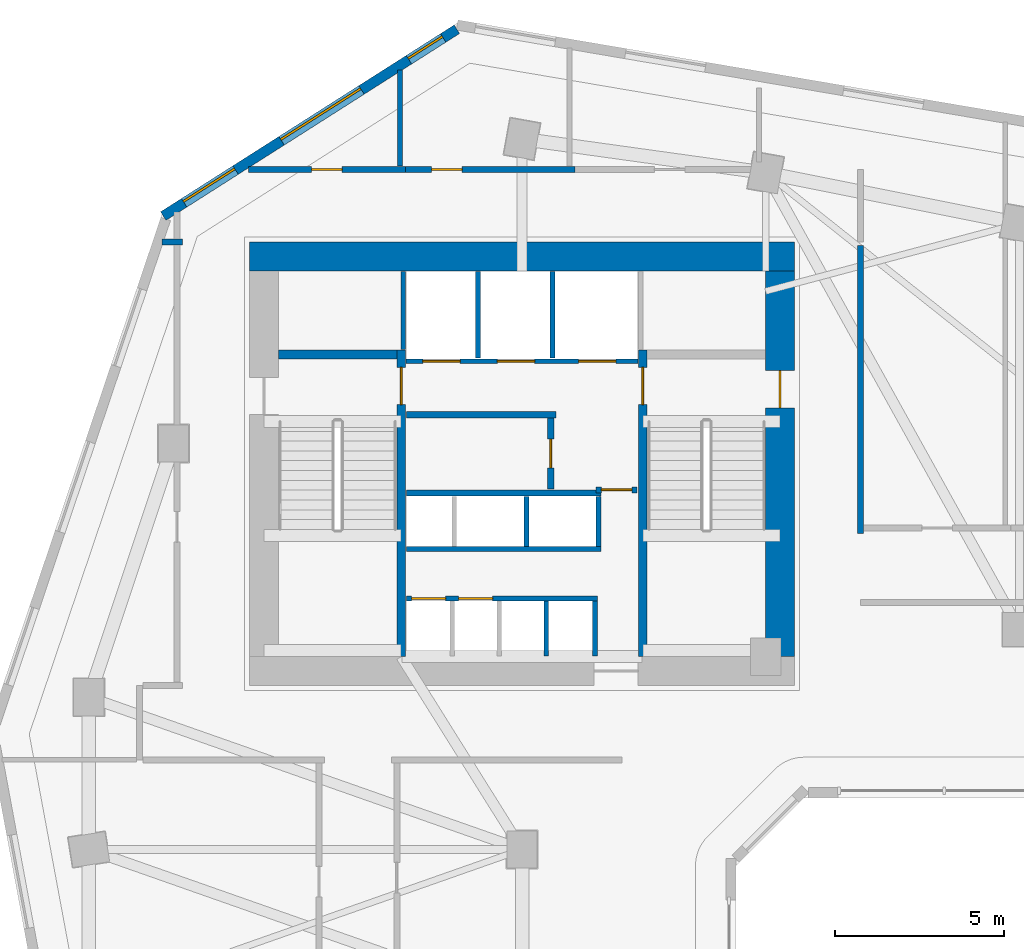
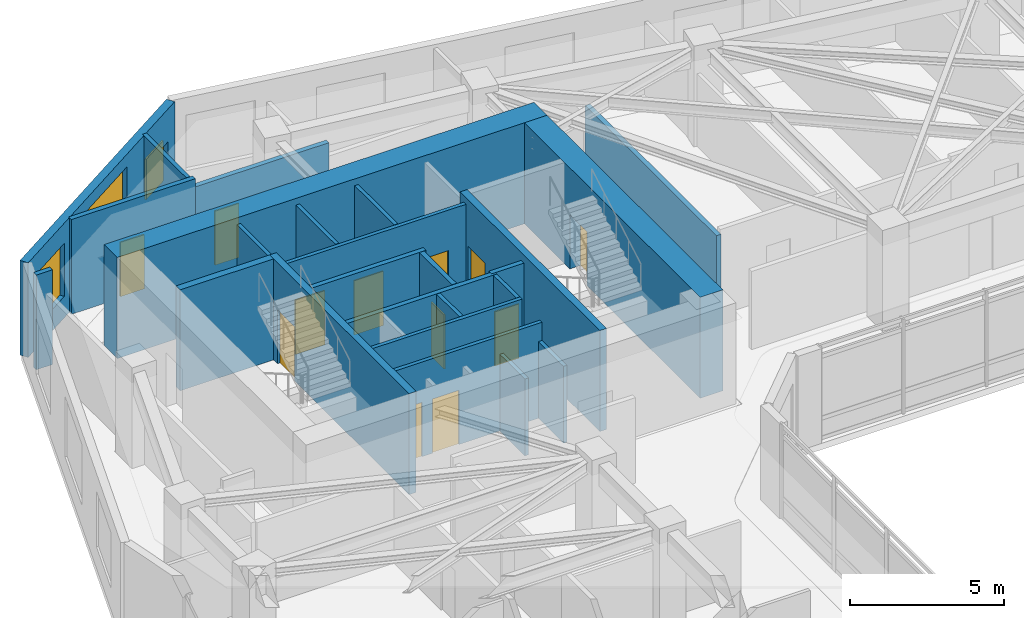
# One storey, part 6 of 11: 25 walls, 12 doors, 3 windows, 15 openings.
"""IFC4 building model written with IfcOpenShell, lengths in metres."""

from ifc_helpers import new_model, si_unit, direction, frame, frame_2d, origin, place, context, subcontext, project, spatial, rectangle, extrude, source, transform, mapped, material, layer, layer_set, type_object, element, fill, save


model = new_model("IFC4")

# Units and contexts
model_context = context("Model", 3, precision=1e-05, world=origin(), true_north=direction((0.0, 1.0)))
body_context = subcontext(model_context, "Body", "Model", "MODEL_VIEW")
ifc_project = project(units=[si_unit("LENGTHUNIT", "METRE"), si_unit("AREAUNIT", "SQUARE_METRE"), si_unit("VOLUMEUNIT", "CUBIC_METRE"), si_unit("PLANEANGLEUNIT", "RADIAN"), si_unit("MASSUNIT", "GRAM", prefix="KILO")], contexts=[model_context])

# Site, building, storey
site_placement = place(None, origin())
site = spatial("IfcSite", under=ifc_project, at=site_placement, CompositionType="ELEMENT")
building_placement = place(site_placement, origin())
building = spatial("IfcBuilding", under=site, at=building_placement, Name="Calvemar Wedge Station Tower", CompositionType="ELEMENT")
storey_placement = place(building_placement, frame((0.0, 0.0, 79.0)))
storey = spatial("IfcBuildingStorey", under=building, at=storey_placement, Name="L19", CompositionType="ELEMENT", Elevation=79.0)

# Wall, opening, door
ifc_material_1 = material(Name="Concrete C50", Category="concrete")
ifc_layer_1 = layer(ifc_material_1, 0.260009765625)
ifc_layer_set_1 = layer_set([ifc_layer_1], Name="Concrete C50")
wall_type_1 = type_object("IfcWallType", Name="SW-CORE-260", PredefinedType="SHEAR", material=ifc_layer_set_1)
wall_1_placement = place(storey_placement, frame((20.22998046875, 34.199951171875, 0.0), z_axis=(0.0, 0.0, 1.0), x_axis=(0.0, 1.0, 0.0)))
wall_1 = element("IfcWall", 1, at=wall_1_placement, inside=storey, type_object=wall_type_1, Name="Storey L19 Core Shear Wall SPINE-W", PredefinedType="SHEAR", context=body_context, shape_type="SweptSolid", body=[
    extrude(rectangle(XDim=9.06005859375, YDim=0.260009765625, at=frame_2d((4.530029296875, 0.0))), origin(), (0.0, 0.0, 1.0), 4.0),
])
shared_shape_1 = source(origin(), body_context, "Body", "SweptSolid", [
    extrude(rectangle(XDim=1.10009765625, YDim=2.14990234375, at=frame_2d((0.550048828125, 1.074951171875))), frame((0.0, 0.14013671875, 0.0), z_axis=(0.0, -1.0, 0.0), x_axis=(1.0, 0.0, 0.0)), (0.0, 0.0, 1.0), 0.280029296875),
])
opening_1_placement = place(wall_1_placement, frame((7.449951171875, 0.0, 0.0)))
opening_1 = element("IfcOpeningElement", 2, at=opening_1_placement, cuts=wall_1, Name="Opening FD-90", PredefinedType="OPENING", context=body_context, shape_type="MappedRepresentation", body=[
    mapped(shared_shape_1, transform((0.0, 0.0, 0.0), scale=1.0)),
])
ifc_material_2 = material(Name="Galvanized fire-rated steel door leaf P-90", Category="steel")
door_type_1 = type_object("IfcDoorType", Name="DR-FD90-1100", OperationType="NOTDEFINED", PredefinedType="DOOR", material=ifc_material_2)
shared_shape_2 = source(origin(), body_context, "Body", "SweptSolid", [
    extrude(rectangle(XDim=1.10009765625, YDim=2.14990234375, at=frame_2d((0.550048828125, 1.074951171875))), frame((0.0, 0.02490234375, 0.0), z_axis=(0.0, -1.0, 0.0), x_axis=(1.0, 0.0, 0.0)), (0.0, 0.0, 1.0), 0.050048828125),
])
door_1_placement = place(opening_1_placement, origin())
door_1 = element("IfcDoor", 3, at=door_1_placement, inside=storey, type_object=door_type_1, Name="L19 FF Lobby to Stair ST-C1 Door", OperationType="SINGLE_SWING_RIGHT", OverallHeight=2.14990234375, OverallWidth=1.10009765625, PredefinedType="DOOR", context=body_context, shape_type="MappedRepresentation", body=[
    mapped(shared_shape_2, transform((0.0, 0.0, 0.0), scale=1.0)),
])
fill(opening_1, door_1)

wall_2_placement = place(storey_placement, frame((27.3701171875, 34.199951171875, 0.0), z_axis=(0.0, 0.0, 1.0), x_axis=(0.0, 1.0, 0.0)))
wall_2 = element("IfcWall", 4, at=wall_2_placement, inside=storey, type_object=wall_type_1, Name="Storey L19 Core Shear Wall SPINE-E", PredefinedType="SHEAR", context=body_context, shape_type="SweptSolid", body=[
    extrude(rectangle(XDim=9.06005859375, YDim=0.260009765625, at=frame_2d((4.530029296875, 0.0))), origin(), (0.0, 0.0, 1.0), 4.0),
])
opening_2_placement = place(wall_2_placement, frame((7.449951171875, 0.0, 0.0)))
opening_2 = element("IfcOpeningElement", 5, at=opening_2_placement, cuts=wall_2, Name="Opening FD-90", PredefinedType="OPENING", context=body_context, shape_type="MappedRepresentation", body=[
    mapped(shared_shape_1, transform((0.0, 0.0, 0.0), scale=1.0)),
])
door_2_placement = place(opening_2_placement, origin())
door_2 = element("IfcDoor", 6, at=door_2_placement, inside=storey, type_object=door_type_1, Name="L19 FF Lobby to Stair ST-C2 Door", OperationType="SINGLE_SWING_LEFT", OverallHeight=2.14990234375, OverallWidth=1.10009765625, PredefinedType="DOOR", context=body_context, shape_type="MappedRepresentation", body=[
    mapped(shared_shape_2, transform((0.0, 0.0, 0.0), scale=1.0)),
])
fill(opening_2, door_2)

# Walls
wall_3_placement = place(storey_placement, frame((16.60009765625, 43.1298828125, 0.0), z_axis=(0.0, 0.0, 1.0), x_axis=(1.0, 0.0, 0.0)))
element("IfcWall", 7, at=wall_3_placement, inside=storey, type_object=wall_type_1, Name="Storey L19 Core Shear Wall STC1-N", PredefinedType="SHEAR", context=body_context, shape_type="SweptSolid", body=[
    extrude(rectangle(XDim=3.5, YDim=0.260009765625, at=frame_2d((1.75, 0.0))), origin(), (0.0, 0.0, 1.0), 4.0),
])
ifc_material_3 = material(Name="Concrete C80", Category="concrete")
ifc_layer_2 = layer(ifc_material_3, 0.85009765625)
ifc_layer_set_2 = layer_set([ifc_layer_2], Name="Concrete C80")
wall_type_2 = type_object("IfcWallType", Name="SW-CORE-850", PredefinedType="SHEAR", material=ifc_layer_set_2)
wall_4_placement = place(storey_placement, frame((15.75, 46.02490234375, 0.0), z_axis=(0.0, 0.0, 1.0), x_axis=(1.0, 0.0, 0.0)))
element("IfcWall", 8, at=wall_4_placement, inside=storey, type_object=wall_type_2, Name="Storey L19 Core Shear Wall N", PredefinedType="SHEAR", context=body_context, shape_type="SweptSolid", body=[
    extrude(rectangle(XDim=16.10009765625, YDim=0.85009765625, at=frame_2d((8.050048828125, 0.0))), origin(), (0.0, 0.0, 1.0), 4.0),
])

# Wall, opening, door
wall_5_placement = place(storey_placement, frame((31.425048828125, 34.199951171875, 0.0), z_axis=(0.0, 0.0, 1.0), x_axis=(0.0, 1.0, 0.0)))
wall_5 = element("IfcWall", 9, at=wall_5_placement, inside=storey, type_object=wall_type_2, Name="Storey L19 Core Shear Wall E", PredefinedType="SHEAR", context=body_context, shape_type="SweptSolid", body=[
    extrude(rectangle(XDim=11.400146484375, YDim=0.85009765625, at=frame_2d((5.7001953125, 0.0))), origin(), (0.0, 0.0, 1.0), 4.0),
])
shared_shape_3 = source(origin(), body_context, "Body", "SweptSolid", [
    extrude(rectangle(XDim=1.10009765625, YDim=2.14990234375, at=frame_2d((0.550048828125, 1.074951171875))), frame((0.0, 0.43505859375, 0.0), z_axis=(0.0, -1.0, 0.0), x_axis=(1.0, 0.0, 0.0)), (0.0, 0.0, 1.0), 0.8701171875),
])
opening_3_placement = place(wall_5_placement, frame((7.35009765625, 0.0, 0.0)))
opening_3 = element("IfcOpeningElement", 10, at=opening_3_placement, cuts=wall_5, Name="Opening FD-90", PredefinedType="OPENING", context=body_context, shape_type="MappedRepresentation", body=[
    mapped(shared_shape_3, transform((0.0, 0.0, 0.0), scale=1.0)),
])
door_3_placement = place(opening_3_placement, origin())
door_3 = element("IfcDoor", 11, at=door_3_placement, inside=storey, type_object=door_type_1, Name="L19 East Corridor to Exit Stair ST-C2 Door", OperationType="SINGLE_SWING_LEFT", OverallHeight=2.14990234375, OverallWidth=1.10009765625, PredefinedType="DOOR", context=body_context, shape_type="MappedRepresentation", body=[
    mapped(shared_shape_2, transform((0.0, 0.0, 0.0), scale=1.0)),
])
fill(opening_3, door_3)

# Wall
ifc_material_4 = material(Name="Double-stud fire-rated corridor partition")
ifc_layer_3 = layer(ifc_material_4, 0.179931640625)
ifc_layer_set_3 = layer_set([ifc_layer_3], Name="Double-stud fire-rated corridor partition")
wall_type_3 = type_object("IfcWallType", Name="W-CORR-180", PredefinedType="PARTITIONING", material=ifc_layer_set_3)
wall_6_placement = place(storey_placement, frame((24.81005859375, 41.35009765625, 0.0), z_axis=(0.0, 0.0, 1.0), x_axis=(-1.0, 0.0, 0.0)))
element("IfcWall", 12, at=wall_6_placement, inside=storey, type_object=wall_type_3, Name="Storey L19 Interior Partition WL-L19-001", PredefinedType="PARTITIONING", context=body_context, shape_type="SweptSolid", body=[
    extrude(rectangle(XDim=4.43017578125, YDim=0.179931640625, at=frame_2d((2.215087890625, 0.0))), origin(), (0.0, 0.0, 1.0), 3.75),
])

# Wall, opening, door
wall_7_placement = place(storey_placement, frame((24.64990234375, 41.256103515625, 0.0), z_axis=(0.0, 0.0, 1.0), x_axis=(0.0, -1.0, 0.0)))
wall_7 = element("IfcWall", 13, at=wall_7_placement, inside=storey, type_object=wall_type_3, Name="Storey L19 Interior Partition WL-L19-002", PredefinedType="PARTITIONING", context=body_context, shape_type="SweptSolid", body=[
    extrude(rectangle(XDim=2.106201171875, YDim=0.179931640625, at=frame_2d((1.05322265625, 0.0))), origin(), (0.0, 0.0, 1.0), 3.75),
])
shared_shape_4 = source(origin(), body_context, "Body", "SweptSolid", [
    extrude(rectangle(XDim=0.85009765625, YDim=2.14990234375, at=frame_2d((0.425048828125, 1.074951171875))), frame((0.0, 0.10009765625, 0.0), z_axis=(0.0, -1.0, 0.0), x_axis=(1.0, 0.0, 0.0)), (0.0, 0.0, 1.0), 0.199951171875),
])
opening_4_placement = place(wall_7_placement, frame((0.6279296875, 0.0, 0.0)))
opening_4 = element("IfcOpeningElement", 14, at=opening_4_placement, cuts=wall_7, Name="Opening FD-60S", PredefinedType="OPENING", context=body_context, shape_type="MappedRepresentation", body=[
    mapped(shared_shape_4, transform((0.0, 0.0, 0.0), scale=1.0)),
])
ifc_material_5 = material(Name="Fire-rated steel and hardwood service door EI 60", Category="steel")
door_type_2 = type_object("IfcDoorType", Name="DR-CORE-FD60-850", OperationType="NOTDEFINED", PredefinedType="DOOR", material=ifc_material_5)
shared_shape_5 = source(origin(), body_context, "Body", "SweptSolid", [
    extrude(rectangle(XDim=0.85009765625, YDim=2.14990234375, at=frame_2d((0.425048828125, 1.074951171875))), frame((0.0, 0.02490234375, 0.0), z_axis=(0.0, -1.0, 0.0), x_axis=(1.0, 0.0, 0.0)), (0.0, 0.0, 1.0), 0.050048828125),
])
door_4_placement = place(opening_4_placement, origin())
door_4 = element("IfcDoor", 15, at=door_4_placement, inside=storey, type_object=door_type_2, Name="L19 Cleaner and Linen Store Door", OperationType="SINGLE_SWING_RIGHT", OverallHeight=2.14990234375, OverallWidth=0.85009765625, PredefinedType="DOOR", context=body_context, shape_type="MappedRepresentation", body=[
    mapped(shared_shape_5, transform((0.0, 0.0, 0.0), scale=1.0)),
])
fill(opening_4, door_4)

wall_8_placement = place(storey_placement, frame((27.199951171875, 39.1298828125, 0.0), z_axis=(0.0, 0.0, 1.0), x_axis=(-1.0, 0.0, 0.0)))
wall_8 = element("IfcWall", 16, at=wall_8_placement, inside=storey, type_object=wall_type_3, Name="Storey L19 Interior Partition WL-L19-003", PredefinedType="PARTITIONING", context=body_context, shape_type="SweptSolid", body=[
    extrude(rectangle(XDim=1.2099609375, YDim=0.179931640625, at=frame_2d((0.60498046875, 0.0))), origin(), (0.0, 0.0, 1.0), 3.75),
])
shared_shape_6 = source(origin(), body_context, "Body", "SweptSolid", [
    extrude(rectangle(XDim=0.89990234375, YDim=2.14990234375, at=frame_2d((0.449951171875, 1.074951171875))), frame((0.0, 0.10009765625, 0.0), z_axis=(0.0, -1.0, 0.0), x_axis=(1.0, 0.0, 0.0)), (0.0, 0.0, 1.0), 0.199951171875),
])
opening_5_placement = place(wall_8_placement, frame((0.155029296875, 0.0, 0.0)))
opening_5 = element("IfcOpeningElement", 17, at=opening_5_placement, cuts=wall_8, Name="Opening FD-60", PredefinedType="OPENING", context=body_context, shape_type="MappedRepresentation", body=[
    mapped(shared_shape_6, transform((0.0, 0.0, 0.0), scale=1.0)),
])
ifc_material_6 = material(Name="Fire-rated acoustic timber-core entrance door EI 60", Category="wood")
door_type_3 = type_object("IfcDoorType", Name="DR-FD60-900", OperationType="NOTDEFINED", PredefinedType="DOOR", material=ifc_material_6)
shared_shape_7 = source(origin(), body_context, "Body", "SweptSolid", [
    extrude(rectangle(XDim=0.89990234375, YDim=2.14990234375, at=frame_2d((0.449951171875, 1.074951171875))), frame((0.0, 0.02490234375, 0.0), z_axis=(0.0, -1.0, 0.0), x_axis=(1.0, 0.0, 0.0)), (0.0, 0.0, 1.0), 0.050048828125),
])
door_5_placement = place(opening_5_placement, origin())
door_5 = element("IfcDoor", 18, at=door_5_placement, inside=storey, type_object=door_type_3, Name="L19 Core Service Lobby Door", OperationType="SINGLE_SWING_LEFT", OverallHeight=2.14990234375, OverallWidth=0.89990234375, PredefinedType="DOOR", context=body_context, shape_type="MappedRepresentation", body=[
    mapped(shared_shape_7, transform((0.0, 0.0, 0.0), scale=1.0)),
])
fill(opening_5, door_5)

# Wall
wall_9_placement = place(storey_placement, frame((13.760009765625, 46.449951171875, 0.0), z_axis=(0.0, 0.0, 1.0), x_axis=(-1.0, 0.0, 0.0)))
element("IfcWall", 19, at=wall_9_placement, inside=storey, type_object=wall_type_3, Name="Storey L19 Interior Partition WL-L19-009", PredefinedType="PARTITIONING", context=body_context, shape_type="SweptSolid", body=[
    extrude(rectangle(XDim=0.60107421875, YDim=0.179931640625, at=frame_2d((0.300537109375, 0.0))), origin(), (0.0, 0.0, 1.0), 3.75),
])

# Wall, opening, door
wall_10_placement = place(storey_placement, frame((15.709716796875, 48.60009765625, 0.0), z_axis=(0.0, 0.0, 1.0), x_axis=(1.0, 0.0, 0.0)))
wall_10 = element("IfcWall", 20, at=wall_10_placement, inside=storey, type_object=wall_type_3, Name="Storey L19 Interior Partition WL-L19-010", PredefinedType="PARTITIONING", context=body_context, shape_type="SweptSolid", body=[
    extrude(rectangle(XDim=4.650390625, YDim=0.179931640625, at=frame_2d((2.3251953125, 0.0))), origin(), (0.0, 0.0, 1.0), 3.75),
])
opening_6_placement = place(wall_10_placement, frame((1.875, 0.0, 0.0)))
opening_6 = element("IfcOpeningElement", 21, at=opening_6_placement, cuts=wall_10, Name="Opening D-01", PredefinedType="OPENING", context=body_context, shape_type="MappedRepresentation", body=[
    mapped(shared_shape_6, transform((0.0, 0.0, 0.0), scale=1.0)),
])
ifc_material_7 = material(Name="Architectural hardwood acoustic swing door", Category="wood")
door_type_4 = type_object("IfcDoorType", Name="DR-INT-900", OperationType="NOTDEFINED", PredefinedType="DOOR", material=ifc_material_7)
shared_shape_8 = source(origin(), body_context, "Body", "SweptSolid", [
    extrude(rectangle(XDim=0.89990234375, YDim=2.14990234375, at=frame_2d((0.449951171875, 1.074951171875))), frame((0.0, 0.02490234375, 0.0), z_axis=(0.0, -1.0, 0.0), x_axis=(1.0, 0.0, 0.0)), (0.0, 0.0, 1.0), 0.050048828125),
])
door_6_placement = place(opening_6_placement, origin())
door_6 = element("IfcDoor", 22, at=door_6_placement, inside=storey, type_object=door_type_4, Name="L19 Male Toilet Door", OperationType="SINGLE_SWING_LEFT", OverallHeight=2.14990234375, OverallWidth=0.89990234375, PredefinedType="DOOR", context=body_context, shape_type="MappedRepresentation", body=[
    mapped(shared_shape_8, transform((0.0, 0.0, 0.0), scale=1.0)),
])
fill(opening_6, door_6)

wall_11_placement = place(storey_placement, frame((20.362060546875, 48.60009765625, 0.0), z_axis=(0.0, 0.0, 1.0), x_axis=(1.0, 0.0, 0.0)))
wall_11 = element("IfcWall", 23, at=wall_11_placement, inside=storey, type_object=wall_type_3, Name="Storey L19 Interior Partition WL-L19-011", PredefinedType="PARTITIONING", context=body_context, shape_type="SweptSolid", body=[
    extrude(rectangle(XDim=4.998046875, YDim=0.179931640625, at=frame_2d((2.4990234375, 0.0))), origin(), (0.0, 0.0, 1.0), 3.4189453125),
])
opening_7_placement = place(wall_11_placement, frame((0.76806640625, 0.0, 0.0)))
opening_7 = element("IfcOpeningElement", 24, at=opening_7_placement, cuts=wall_11, Name="Opening D-01", PredefinedType="OPENING", context=body_context, shape_type="MappedRepresentation", body=[
    mapped(shared_shape_6, transform((0.0, 0.0, 0.0), scale=1.0)),
])
door_7_placement = place(opening_7_placement, origin())
door_7 = element("IfcDoor", 25, at=door_7_placement, inside=storey, type_object=door_type_4, Name="L19 Pantry Door", OperationType="SINGLE_SWING_RIGHT", OverallHeight=2.14990234375, OverallWidth=0.89990234375, PredefinedType="DOOR", context=body_context, shape_type="MappedRepresentation", body=[
    mapped(shared_shape_8, transform((0.0, 0.0, 0.0), scale=1.0)),
])
fill(opening_7, door_7)

# Wall
wall_12_placement = place(storey_placement, frame((33.800048828125, 46.35595703125, 0.0), z_axis=(0.0, 0.0, 1.0), x_axis=(0.0, -1.0, 0.0)))
element("IfcWall", 26, at=wall_12_placement, inside=storey, type_object=wall_type_3, Name="Storey L19 Interior Partition WL-L19-014", PredefinedType="PARTITIONING", context=body_context, shape_type="SweptSolid", body=[
    extrude(rectangle(XDim=8.515869140625, YDim=0.179931640625, at=frame_2d((4.2578125, 0.0))), origin(), (0.0, 0.0, 1.0), 3.279052734375),
])

# Wall, openings, windows
ifc_material_8 = material(Name="Precast concrete C45", Category="concrete")
ifc_layer_4 = layer(ifc_material_8, 0.300048828125)
ifc_layer_set_4 = layer_set([ifc_layer_4], Name="Precast concrete C45")
wall_type_4 = type_object("IfcWallType", Name="W-EXT-GFRC-300", PredefinedType="SOLIDWALL", material=ifc_layer_set_4)
wall_13_placement = place(storey_placement, frame((21.874755859375, 52.742431640625, 0.0), z_axis=(0.0, 0.0, 1.0), x_axis=(-0.843662465249, -0.536873956092, 0.0)))
wall_13 = element("IfcWall", 27, at=wall_13_placement, inside=storey, type_object=wall_type_4, Name="Storey L19 Bronze GFRC Exterior Wall 11", PredefinedType="SOLIDWALL", context=body_context, shape_type="SweptSolid", body=[
    extrude(rectangle(XDim=10.283935546875, YDim=0.300048828125, at=frame_2d((5.14208984375, 0.0))), origin(), (0.0, 0.0, 1.0), 3.75),
])
shared_shape_9 = source(origin(), body_context, "Body", "SweptSolid", [
    extrude(rectangle(XDim=1.199951171875, YDim=1.60009765625, at=frame_2d((0.60009765625, 0.800048828125))), frame((0.0, 0.16015625, 0.0), z_axis=(0.0, -1.0, 0.0), x_axis=(1.0, 0.0, 0.0)), (0.0, 0.0, 1.0), 0.320068359375),
])
opening_8_placement = place(wall_13_placement, frame((0.47900390625, 0.0, 0.85009765625)))
opening_8 = element("IfcOpeningElement", 28, at=opening_8_placement, cuts=wall_13, Name="Opening W5", PredefinedType="OPENING", context=body_context, shape_type="MappedRepresentation", body=[
    mapped(shared_shape_9, transform((0.0, 0.0, 0.0), scale=1.0)),
])
shared_shape_10 = source(origin(), body_context, "Body", "SweptSolid", [
    extrude(rectangle(XDim=2.800048828125, YDim=2.39990234375, at=frame_2d((1.39990234375, 1.199951171875))), frame((0.0, 0.16015625, 0.0), z_axis=(0.0, -1.0, 0.0), x_axis=(1.0, 0.0, 0.0)), (0.0, 0.0, 1.0), 0.320068359375),
])
opening_9_placement = place(wall_13_placement, frame((3.342041015625, 0.0, 0.85009765625)))
opening_9 = element("IfcOpeningElement", 29, at=opening_9_placement, cuts=wall_13, Name="Opening W6", PredefinedType="OPENING", context=body_context, shape_type="MappedRepresentation", body=[
    mapped(shared_shape_10, transform((0.0, 0.0, 0.0), scale=1.0)),
])
shared_shape_11 = source(origin(), body_context, "Body", "SweptSolid", [
    extrude(rectangle(XDim=1.800048828125, YDim=2.10009765625, at=frame_2d((0.89990234375, 1.050048828125))), frame((0.0, 0.16015625, 0.0), z_axis=(0.0, -1.0, 0.0), x_axis=(1.0, 0.0, 0.0)), (0.0, 0.0, 1.0), 0.320068359375),
])
opening_10_placement = place(wall_13_placement, frame((7.7529296875, 0.0, 0.85009765625)))
opening_10 = element("IfcOpeningElement", 30, at=opening_10_placement, cuts=wall_13, Name="Opening W2", PredefinedType="OPENING", context=body_context, shape_type="MappedRepresentation", body=[
    mapped(shared_shape_11, transform((0.0, 0.0, 0.0), scale=1.0)),
])
ifc_material_9 = material(Name="Low-E laminated insulated glass", Category="glass")
window_type_1 = type_object("IfcWindowType", Name="WIN-EXT-2", PartitioningType="SINGLE_PANEL", PredefinedType="WINDOW", material=ifc_material_9)
shared_shape_12 = source(origin(), body_context, "Body", "SweptSolid", [
    extrude(rectangle(XDim=1.800048828125, YDim=2.10009765625, at=frame_2d((0.89990234375, 1.050048828125))), frame((0.0, -0.014892578125, 0.0), z_axis=(0.0, -1.0, 0.0), x_axis=(1.0, 0.0, 0.0)), (0.0, 0.0, 1.0), 0.06005859375),
])
window_1_placement = place(opening_10_placement, origin())
window_1 = element("IfcWindow", 31, at=window_1_placement, inside=storey, type_object=window_type_1, Name="Storey L19 Recessed Window 11.3", OverallHeight=2.10009765625, OverallWidth=1.800048828125, PartitioningType="SINGLE_PANEL", PredefinedType="WINDOW", context=body_context, shape_type="MappedRepresentation", body=[
    mapped(shared_shape_12, transform((0.0, 0.0, 0.0), scale=1.0)),
])
fill(opening_10, window_1)
window_type_2 = type_object("IfcWindowType", Name="WIN-EXT-6", PartitioningType="SINGLE_PANEL", PredefinedType="WINDOW", material=ifc_material_9)
shared_shape_13 = source(origin(), body_context, "Body", "SweptSolid", [
    extrude(rectangle(XDim=2.800048828125, YDim=2.39990234375, at=frame_2d((1.39990234375, 1.199951171875))), frame((0.0, -0.014892578125, 0.0), z_axis=(0.0, -1.0, 0.0), x_axis=(1.0, 0.0, 0.0)), (0.0, 0.0, 1.0), 0.06005859375),
])
window_2_placement = place(opening_9_placement, origin())
window_2 = element("IfcWindow", 32, at=window_2_placement, inside=storey, type_object=window_type_2, Name="Storey L19 Recessed Window 11.2", OverallHeight=2.39990234375, OverallWidth=2.800048828125, PartitioningType="SINGLE_PANEL", PredefinedType="WINDOW", context=body_context, shape_type="MappedRepresentation", body=[
    mapped(shared_shape_13, transform((0.0, 0.0, 0.0), scale=1.0)),
])
fill(opening_9, window_2)
window_type_3 = type_object("IfcWindowType", Name="WIN-EXT-5", PartitioningType="SINGLE_PANEL", PredefinedType="WINDOW", material=ifc_material_9)
shared_shape_14 = source(origin(), body_context, "Body", "SweptSolid", [
    extrude(rectangle(XDim=1.199951171875, YDim=1.60009765625, at=frame_2d((0.60009765625, 0.800048828125))), frame((0.0, -0.014892578125, 0.0), z_axis=(0.0, -1.0, 0.0), x_axis=(1.0, 0.0, 0.0)), (0.0, 0.0, 1.0), 0.06005859375),
])
window_3_placement = place(opening_8_placement, origin())
window_3 = element("IfcWindow", 33, at=window_3_placement, inside=storey, type_object=window_type_3, Name="Storey L19 Recessed Window 11.1", OverallHeight=1.60009765625, OverallWidth=1.199951171875, PartitioningType="SINGLE_PANEL", PredefinedType="WINDOW", context=body_context, shape_type="MappedRepresentation", body=[
    mapped(shared_shape_14, transform((0.0, 0.0, 0.0), scale=1.0)),
])
fill(opening_8, window_3)

# Wall, openings, doors
ifc_material_10 = material(Name="Reinforced concrete blockwork lift shaft wall", Category="masonry")
ifc_layer_5 = layer(ifc_material_10, 0.139892578125)
ifc_layer_set_5 = layer_set([ifc_layer_5], Name="Reinforced concrete blockwork lift shaft wall")
wall_type_5 = type_object("IfcWallType", Name="W-LIFT-160", PredefinedType="SOLIDWALL", material=ifc_layer_set_5)
wall_14_placement = place(storey_placement, frame((20.3701171875, 42.929931640625, 0.0), z_axis=(0.0, 0.0, 1.0), x_axis=(1.0, 0.0, 0.0)))
wall_14 = element("IfcWall", 34, at=wall_14_placement, inside=storey, type_object=wall_type_5, Name="Storey L19 Firefighting and Service Lift Shaft Front Wall", PredefinedType="SOLIDWALL", context=body_context, shape_type="SweptSolid", body=[
    extrude(rectangle(XDim=6.85986328125, YDim=0.139892578125, at=frame_2d((3.429931640625, 0.0))), origin(), (0.0, 0.0, 1.0), 3.75),
])
shared_shape_15 = source(origin(), body_context, "Body", "SweptSolid", [
    extrude(rectangle(XDim=1.10009765625, YDim=2.14990234375, at=frame_2d((0.550048828125, 1.074951171875))), frame((0.0, 0.080078125, 0.0), z_axis=(0.0, -1.0, 0.0), x_axis=(1.0, 0.0, 0.0)), (0.0, 0.0, 1.0), 0.159912109375),
])
opening_11_placement = place(wall_14_placement, frame((0.5, 0.0, 0.0)))
opening_11 = element("IfcOpeningElement", 35, at=opening_11_placement, cuts=wall_14, Name="Opening LD-FF", PredefinedType="OPENING", context=body_context, shape_type="MappedRepresentation", body=[
    mapped(shared_shape_15, transform((0.0, 0.0, 0.0), scale=1.0)),
])
opening_12_placement = place(wall_14_placement, frame((2.699951171875, 0.0, 0.0)))
opening_12 = element("IfcOpeningElement", 36, at=opening_12_placement, cuts=wall_14, Name="Opening LD-FF", PredefinedType="OPENING", context=body_context, shape_type="MappedRepresentation", body=[
    mapped(shared_shape_15, transform((0.0, 0.0, 0.0), scale=1.0)),
])
opening_13_placement = place(wall_14_placement, frame((5.10009765625, 0.0, 0.0)))
opening_13 = element("IfcOpeningElement", 37, at=opening_13_placement, cuts=wall_14, Name="Opening LD-STN", PredefinedType="OPENING", context=body_context, shape_type="MappedRepresentation", body=[
    mapped(shared_shape_15, transform((0.0, 0.0, 0.0), scale=1.0)),
])
ifc_material_11 = material(Name="Stainless steel firefighting lift sliding landing door", Category="steel")
door_type_5 = type_object("IfcDoorType", Name="DR-LD-FF-1100", OperationType="SLIDING_TO_LEFT", PredefinedType="DOOR", material=ifc_material_11)
shared_shape_16 = source(origin(), body_context, "Body", "SweptSolid", [
    extrude(rectangle(XDim=1.10009765625, YDim=2.14990234375, at=frame_2d((0.550048828125, 1.074951171875))), frame((0.0, 0.02490234375, 0.0), z_axis=(0.0, -1.0, 0.0), x_axis=(1.0, 0.0, 0.0)), (0.0, 0.0, 1.0), 0.050048828125),
])
door_8_placement = place(opening_11_placement, origin())
door_8 = element("IfcDoor", 38, at=door_8_placement, inside=storey, type_object=door_type_5, Name="L19 Lift FF-01 Sliding Landing Door", OperationType="SLIDING_TO_LEFT", OverallHeight=2.14990234375, OverallWidth=1.10009765625, PredefinedType="DOOR", context=body_context, shape_type="MappedRepresentation", body=[
    mapped(shared_shape_16, transform((0.0, 0.0, 0.0), scale=1.0)),
])
fill(opening_11, door_8)
door_9_placement = place(opening_12_placement, origin())
door_9 = element("IfcDoor", 39, at=door_9_placement, inside=storey, type_object=door_type_5, Name="L19 Lift FF-02 Sliding Landing Door", OperationType="SLIDING_TO_RIGHT", OverallHeight=2.14990234375, OverallWidth=1.10009765625, PredefinedType="DOOR", context=body_context, shape_type="MappedRepresentation", body=[
    mapped(shared_shape_16, transform((0.0, 0.0, 0.0), scale=1.0)),
])
fill(opening_12, door_9)
ifc_material_12 = material(Name="Stainless steel transit lift sliding landing door", Category="steel")
door_type_6 = type_object("IfcDoorType", Name="DR-LD-PAX-1100", OperationType="SLIDING_TO_LEFT", PredefinedType="DOOR", material=ifc_material_12)
shared_shape_17 = source(origin(), body_context, "Body", "SweptSolid", [
    extrude(rectangle(XDim=1.10009765625, YDim=2.14990234375, at=frame_2d((0.550048828125, 1.074951171875))), frame((0.0, 0.02490234375, 0.0), z_axis=(0.0, -1.0, 0.0), x_axis=(1.0, 0.0, 0.0)), (0.0, 0.0, 1.0), 0.050048828125),
])
door_10_placement = place(opening_13_placement, origin())
door_10 = element("IfcDoor", 40, at=door_10_placement, inside=storey, type_object=door_type_6, Name="L19 Lift SV-01 Sliding Landing Door", OperationType="SLIDING_TO_LEFT", OverallHeight=2.14990234375, OverallWidth=1.10009765625, PredefinedType="DOOR", context=body_context, shape_type="MappedRepresentation", body=[
    mapped(shared_shape_17, transform((0.0, 0.0, 0.0), scale=1.0)),
])
fill(opening_13, door_10)

# Walls
wall_15_placement = place(storey_placement, frame((20.2900390625, 43.280029296875, 0.0), z_axis=(0.0, 0.0, 1.0), x_axis=(0.0, 1.0, 0.0)))
element("IfcWall", 41, at=wall_15_placement, inside=storey, type_object=wall_type_5, Name="Storey L19 Firefighting Lift Shaft Enclosure Wall W", PredefinedType="SOLIDWALL", context=body_context, shape_type="SweptSolid", body=[
    extrude(rectangle(XDim=2.300048828125, YDim=0.139892578125, at=frame_2d((1.14990234375, 0.0))), origin(), (0.0, 0.0, 1.0), 3.75),
])
for number, where, z_axis, x_axis, name in (
    (42, (22.5, 43.02001953125, 0.0), (0.0, 0.0, 1.0), (0.0, 1.0, 0.0), "Storey L19 Firefighting Lift Shaft Enclosure Wall D1"),
    (43, (24.699951171875, 43.02001953125, 0.0), (0.0, 0.0, 1.0), (0.0, 1.0, 0.0), "Storey L19 Firefighting Lift Shaft Enclosure Wall D2"),
):
    element("IfcWall", number, at=place(storey_placement, frame(where, z_axis=z_axis, x_axis=x_axis)), inside=storey, type_object=wall_type_5, Name=name, PredefinedType="SOLIDWALL", context=body_context, shape_type="SweptSolid", body=[
        extrude(rectangle(XDim=2.56005859375, YDim=0.139892578125, at=frame_2d((1.280029296875, 0.0))), origin(), (0.0, 0.0, 1.0), 3.75),
    ])

# Wall, openings, doors
wall_16_placement = place(storey_placement, frame((20.3798828125, 35.919921875, 0.0), z_axis=(0.0, 0.0, 1.0), x_axis=(1.0, 0.0, 0.0)))
wall_16 = element("IfcWall", 44, at=wall_16_placement, inside=storey, type_object=wall_type_5, Name="Storey L19 South Passenger Lift Bank Front Wall", PredefinedType="SOLIDWALL", context=body_context, shape_type="SweptSolid", body=[
    extrude(rectangle(XDim=5.650146484375, YDim=0.139892578125, at=frame_2d((2.8251953125, 0.0))), origin(), (0.0, 0.0, 1.0), 3.75),
])
shared_shape_18 = source(origin(), body_context, "Body", "SweptSolid", [
    extrude(rectangle(XDim=1.0, YDim=2.14990234375, at=frame_2d((0.5, 1.074951171875))), frame((0.0, 0.080078125, 0.0), z_axis=(0.0, -1.0, 0.0), x_axis=(1.0, 0.0, 0.0)), (0.0, 0.0, 1.0), 0.159912109375),
])
opening_14_placement = place(wall_16_placement, frame((0.159912109375, 0.0, 0.0)))
opening_14 = element("IfcOpeningElement", 45, at=opening_14_placement, cuts=wall_16, Name="Opening LD-PAX", PredefinedType="OPENING", context=body_context, shape_type="MappedRepresentation", body=[
    mapped(shared_shape_18, transform((0.0, 0.0, 0.0), scale=1.0)),
])
opening_15_placement = place(wall_16_placement, frame((1.550048828125, 0.0, 0.0)))
opening_15 = element("IfcOpeningElement", 46, at=opening_15_placement, cuts=wall_16, Name="Opening LD-PAX", PredefinedType="OPENING", context=body_context, shape_type="MappedRepresentation", body=[
    mapped(shared_shape_18, transform((0.0, 0.0, 0.0), scale=1.0)),
])
ifc_material_13 = material(Name="Anodised bronze passenger lift sliding landing door")
door_type_7 = type_object("IfcDoorType", Name="DR-LD-PAX-1000", OperationType="SLIDING_TO_LEFT", PredefinedType="DOOR", material=ifc_material_13)
shared_shape_19 = source(origin(), body_context, "Body", "SweptSolid", [
    extrude(rectangle(XDim=1.0, YDim=2.14990234375, at=frame_2d((0.5, 1.074951171875))), frame((0.0, 0.02490234375, 0.0), z_axis=(0.0, -1.0, 0.0), x_axis=(1.0, 0.0, 0.0)), (0.0, 0.0, 1.0), 0.050048828125),
])
door_11_placement = place(opening_14_placement, origin())
door_11 = element("IfcDoor", 47, at=door_11_placement, inside=storey, type_object=door_type_7, Name="L19 Lift OL-01 Sliding Landing Door", OperationType="SLIDING_TO_LEFT", OverallHeight=2.14990234375, OverallWidth=1.0, PredefinedType="DOOR", context=body_context, shape_type="MappedRepresentation", body=[
    mapped(shared_shape_19, transform((0.0, 0.0, 0.0), scale=1.0)),
])
fill(opening_14, door_11)
door_12_placement = place(opening_15_placement, origin())
door_12 = element("IfcDoor", 48, at=door_12_placement, inside=storey, type_object=door_type_7, Name="L19 Lift OL-02 Sliding Landing Door", OperationType="SLIDING_TO_RIGHT", OverallHeight=2.14990234375, OverallWidth=1.0, PredefinedType="DOOR", context=body_context, shape_type="MappedRepresentation", body=[
    mapped(shared_shape_19, transform((0.0, 0.0, 0.0), scale=1.0)),
])
fill(opening_15, door_12)

# Walls
for number, where, z_axis, x_axis, name in (
    (49, (25.9599609375, 34.219970703125, 0.0), (0.0, 0.0, 1.0), (0.0, 1.0, 0.0), "Storey L19 South Passenger Lift Shaft Wall E"),
    (50, (24.514892578125, 34.219970703125, 0.0), (0.0, 0.0, 1.0), (0.0, 1.0, 0.0), "Storey L19 South Passenger Lift Shaft Wall D3"),
):
    element("IfcWall", number, at=place(storey_placement, frame(where, z_axis=z_axis, x_axis=x_axis)), inside=storey, type_object=wall_type_5, Name=name, PredefinedType="SOLIDWALL", context=body_context, shape_type="SweptSolid", body=[
        extrude(rectangle(XDim=1.6201171875, YDim=0.139892578125, at=frame_2d((0.81005859375, 0.0))), origin(), (0.0, 0.0, 1.0), 3.0419921875),
    ])
wall_17_placement = place(storey_placement, frame((20.3798828125, 37.3798828125, 0.0), z_axis=(0.0, 0.0, 1.0), x_axis=(1.0, 0.0, 0.0)))
element("IfcWall", 51, at=wall_17_placement, inside=storey, type_object=wall_type_5, Name="Storey L19 Upper Passenger Lift Bank Front Wall", PredefinedType="SOLIDWALL", context=body_context, shape_type="SweptSolid", body=[
    extrude(rectangle(XDim=5.75, YDim=0.139892578125, at=frame_2d((2.875, 0.0))), origin(), (0.0, 0.0, 1.0), 3.75),
])
for number, where, z_axis, x_axis, name in (
    (52, (26.06005859375, 37.4599609375, 0.0), (0.0, 0.0, 1.0), (0.0, 1.0, 0.0), "Storey L19 Upper Passenger Lift Shaft Wall E"),
    (53, (23.93505859375, 37.4599609375, 0.0), (0.0, 0.0, 1.0), (0.0, 1.0, 0.0), "Storey L19 Upper Passenger Lift Shaft Wall D2"),
):
    element("IfcWall", number, at=place(storey_placement, frame(where, z_axis=z_axis, x_axis=x_axis)), inside=storey, type_object=wall_type_5, Name=name, PredefinedType="SOLIDWALL", context=body_context, shape_type="SweptSolid", body=[
        extrude(rectangle(XDim=1.47998046875, YDim=0.139892578125, at=frame_2d((0.739990234375, 0.0))), origin(), (0.0, 0.0, 1.0), 3.75),
    ])
ifc_material_14 = material(Name="Concrete blockwork and fireboard shaft wall", Category="masonry")
ifc_layer_6 = layer(ifc_material_14, 0.199951171875)
ifc_layer_set_6 = layer_set([ifc_layer_6], Name="Concrete blockwork and fireboard shaft wall")
wall_type_6 = type_object("IfcWallType", Name="W-SHAFT-200", PredefinedType="SOLIDWALL", material=ifc_layer_set_6)
wall_18_placement = place(storey_placement, frame((20.3798828125, 39.0400390625, 0.0), z_axis=(0.0, 0.0, 1.0), x_axis=(1.0, 0.0, 0.0)))
element("IfcWall", 54, at=wall_18_placement, inside=storey, type_object=wall_type_6, Name="Storey L19 Upper Passenger Lift Bank Rear Shaft Wall", PredefinedType="SOLIDWALL", context=body_context, shape_type="SweptSolid", body=[
    extrude(rectangle(XDim=5.75, YDim=0.179931640625, at=frame_2d((2.875, 0.0))), origin(), (0.0, 0.0, 1.0), 3.75),
])
ifc_material_15 = material(Name="Moisture-resistant acoustic bathroom partition")
ifc_layer_7 = layer(ifc_material_15, 0.14990234375)
ifc_layer_set_7 = layer_set([ifc_layer_7], Name="Moisture-resistant acoustic bathroom partition")
wall_type_7 = type_object("IfcWallType", Name="W-WET-150", PredefinedType="PARTITIONING", material=ifc_layer_set_7)
wall_19_placement = place(storey_placement, frame((20.199951171875, 51.540283203125, 0.0), z_axis=(0.0, 0.0, 1.0), x_axis=(0.0, -1.0, 0.0)))
element("IfcWall", 55, at=wall_19_placement, inside=storey, type_object=wall_type_7, Name="Storey L19 Interior Partition WL-L19-016", PredefinedType="PARTITIONING", context=body_context, shape_type="SweptSolid", body=[
    extrude(rectangle(XDim=2.84619140625, YDim=0.14990234375, at=frame_2d((1.423095703125, 0.0))), origin(), (0.0, 0.0, 1.0), 3.75),
])

save(model, "model.ifc")
